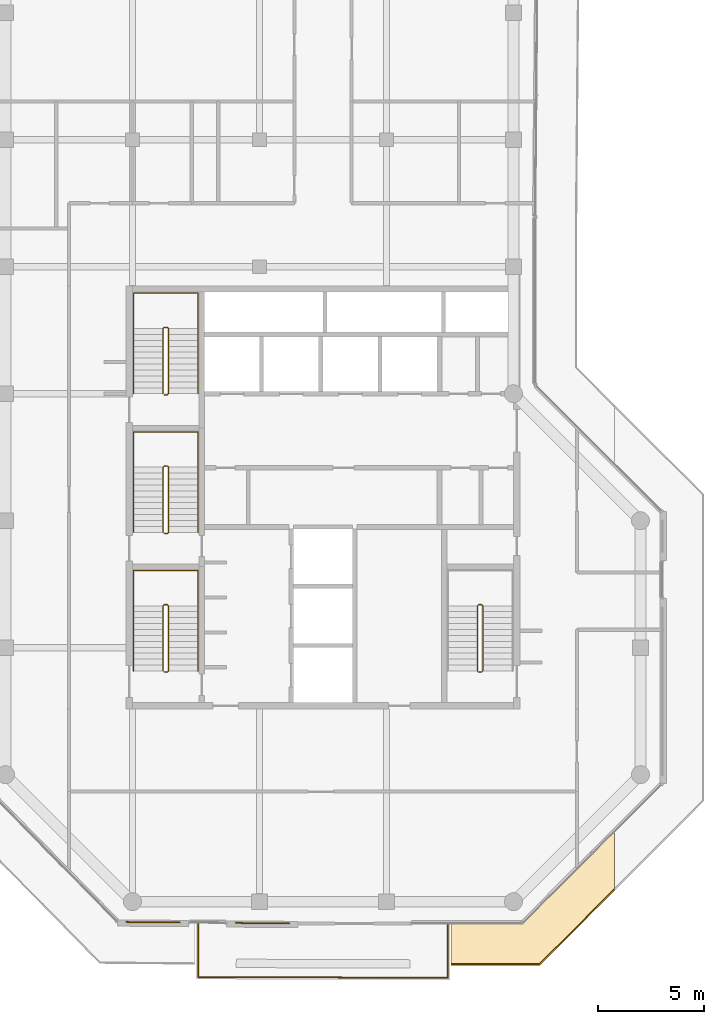
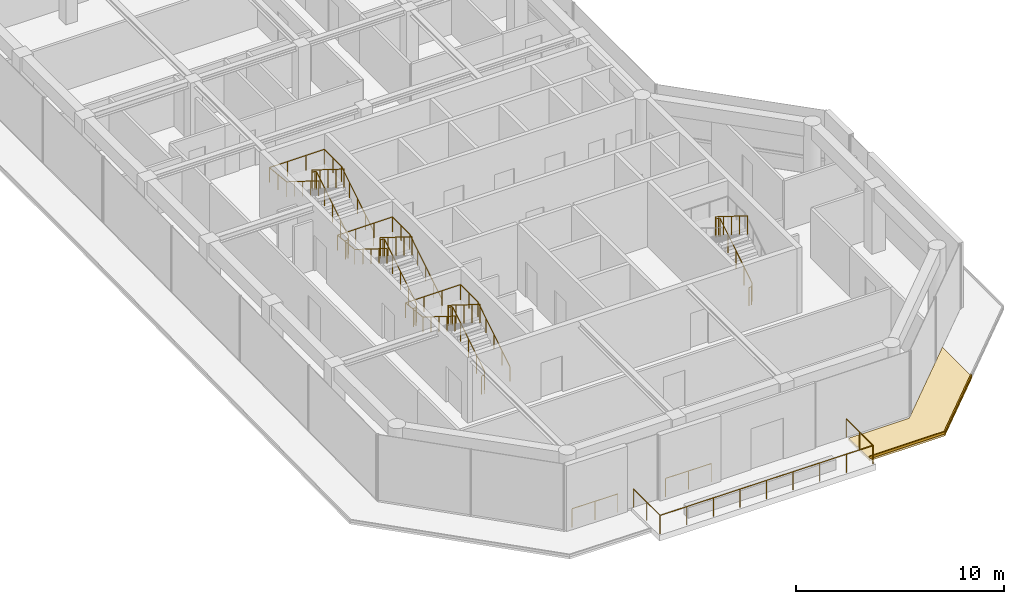
# One storey, part 17 of 18: 10 railings, 2 coverings.
"""IFC4 building model written with IfcOpenShell, lengths in metres."""

from ifc_helpers import new_model, si_unit, direction, frame, origin, origin_2d, place, context, subcontext, project, spatial, polyline, circle, outline, extrude, material, layer, layer_set, type_object, element, save


model = new_model("IFC4")

# Units and contexts
model_context = context("Model", 3, precision=1e-05, world=origin(), true_north=direction((0.0, 1.0)))
body_context = subcontext(model_context, "Body", "Model", "MODEL_VIEW")
ifc_project = project(units=[si_unit("LENGTHUNIT", "METRE"), si_unit("AREAUNIT", "SQUARE_METRE"), si_unit("VOLUMEUNIT", "CUBIC_METRE"), si_unit("PLANEANGLEUNIT", "RADIAN"), si_unit("MASSUNIT", "GRAM", prefix="KILO")], contexts=[model_context])

# Site, building, storey
site_placement = place(None, origin())
site = spatial("IfcSite", under=ifc_project, at=site_placement, CompositionType="ELEMENT")
building_placement = place(site_placement, origin())
building = spatial("IfcBuilding", under=site, at=building_placement, Name="Welwitschia Terrace Campus", CompositionType="ELEMENT")
storey_placement = place(building_placement, frame((0.0, 0.0, 285.199951171875)))
storey = spatial("IfcBuildingStorey", under=building, at=storey_placement, Name="L63", CompositionType="ELEMENT", Elevation=285.199951171875)

# Railings
ifc_material_1 = material(Name="Stainless steel grade 316", Category="steel")
railing_type_1 = type_object("IfcRailingType", Name="Guard 1100", PredefinedType="GUARDRAIL", material=ifc_material_1)
railing_1_placement = place(storey_placement, frame((20.89990234375, -5.030029296875, 0.0)))
element("IfcRailing", 1, at=railing_1_placement, inside=storey, type_object=railing_type_1, Name="Guard terrace L63:0:0.0", PredefinedType="GUARDRAIL", context=body_context, shape_type="SweptSolid", body=[
    extrude(circle(Radius=0.02392578125, at=origin_2d()), frame((0.0, 0.0, 1.076171875), z_axis=(0.0, -1.0, 0.0), x_axis=(1.0, 0.0, 0.0)), (0.0, 0.0, 1.0), 2.569580078125),
    extrude(circle(Radius=0.02392578125, at=origin_2d()), frame((0.0, -2.569580078125, 1.076171875), z_axis=(-0.999993886782, 0.003496626808, 0.0), x_axis=(-0.003496626808, -0.999993886782, 0.0)), (0.0, 0.0, 1.0), 11.7998046875),
    extrude(circle(Radius=0.02392578125, at=origin_2d()), frame((-11.7998046875, -2.5283203125, 1.076171875), z_axis=(0.000285035618, 0.999999959377, 0.0), x_axis=(-0.999999959377, 0.000285035618, 0.0)), (0.0, 0.0, 1.0), 2.569580078125),
    extrude(circle(Radius=0.02099609375, at=origin_2d()), origin(), (0.0, 0.0, 1.0), 1.052001953125),
    extrude(circle(Radius=0.02099609375, at=origin_2d()), frame((0.0, -1.28466796875, 0.0)), (0.0, 0.0, 1.0), 1.052001953125),
    extrude(circle(Radius=0.02099609375, at=origin_2d()), frame((0.0, -2.569580078125, 0.0)), (0.0, 0.0, 1.0), 1.052001953125),
    extrude(circle(Radius=0.02099609375, at=origin_2d()), frame((-1.47509765625, -2.564453125, 0.0)), (0.0, 0.0, 1.0), 1.052001953125),
    extrude(circle(Radius=0.02099609375, at=origin_2d()), frame((-2.949951171875, -2.559326171875, 0.0)), (0.0, 0.0, 1.0), 1.052001953125),
    extrude(circle(Radius=0.02099609375, at=origin_2d()), frame((-4.4248046875, -2.55419921875, 0.0)), (0.0, 0.0, 1.0), 1.052001953125),
    extrude(circle(Radius=0.02099609375, at=origin_2d()), frame((-5.89990234375, -2.548828125, 0.0)), (0.0, 0.0, 1.0), 1.052001953125),
    extrude(circle(Radius=0.02099609375, at=origin_2d()), frame((-7.375, -2.543701171875, 0.0)), (0.0, 0.0, 1.0), 1.052001953125),
    extrude(circle(Radius=0.02099609375, at=origin_2d()), frame((-8.849853515625, -2.53857421875, 0.0)), (0.0, 0.0, 1.0), 1.052001953125),
    extrude(circle(Radius=0.02099609375, at=origin_2d()), frame((-10.32470703125, -2.533447265625, 0.0)), (0.0, 0.0, 1.0), 1.052001953125),
    extrude(circle(Radius=0.02099609375, at=origin_2d()), frame((-11.7998046875, -2.5283203125, 0.0)), (0.0, 0.0, 1.0), 1.052001953125),
    extrude(circle(Radius=0.02099609375, at=origin_2d()), frame((-11.79931640625, -1.24365234375, 0.0)), (0.0, 0.0, 1.0), 1.052001953125),
    extrude(circle(Radius=0.02099609375, at=origin_2d()), frame((-11.799072265625, 0.041259765625, 0.0)), (0.0, 0.0, 1.0), 1.052001953125),
])
railing_2_placement = place(storey_placement, frame((8.23095703125, -4.981201171875, 0.0)))
element("IfcRailing", 2, at=railing_2_placement, inside=storey, type_object=railing_type_1, Name="Guard floor edge L63.1", PredefinedType="GUARDRAIL", context=body_context, shape_type="SweptSolid", body=[
    extrude(circle(Radius=0.02392578125, at=origin_2d()), frame((0.0, 0.0, 1.076171875), z_axis=(-0.9999612979, 0.008797880509, 0.0), x_axis=(-0.008797880509, -0.9999612979, 0.0)), (0.0, 0.0, 1.0), 2.525146484375),
    extrude(circle(Radius=0.02099609375, at=origin_2d()), origin(), (0.0, 0.0, 1.0), 1.052001953125),
    extrude(circle(Radius=0.02099609375, at=origin_2d()), frame((-1.2626953125, 0.01123046875, 0.0)), (0.0, 0.0, 1.0), 1.052001953125),
    extrude(circle(Radius=0.02099609375, at=origin_2d()), frame((-2.525146484375, 0.022216796875, 0.0)), (0.0, 0.0, 1.0), 1.052001953125),
])
railing_3_placement = place(storey_placement, frame((13.403564453125, -5.0263671875, 0.0)))
element("IfcRailing", 3, at=railing_3_placement, inside=storey, type_object=railing_type_1, Name="Guard floor edge L63.3", PredefinedType="GUARDRAIL", context=body_context, shape_type="SweptSolid", body=[
    extrude(circle(Radius=0.02392578125, at=origin_2d()), frame((0.0, 0.0, 1.076171875), z_axis=(-0.999962143774, 0.008701207864, 0.0), x_axis=(-0.008701207864, -0.999962143774, 0.0)), (0.0, 0.0, 1.0), 2.525146484375),
    extrude(circle(Radius=0.02099609375, at=origin_2d()), origin(), (0.0, 0.0, 1.0), 1.052001953125),
    extrude(circle(Radius=0.02099609375, at=origin_2d()), frame((-1.2626953125, 0.010986328125, 0.0)), (0.0, 0.0, 1.0), 1.052001953125),
    extrude(circle(Radius=0.02099609375, at=origin_2d()), frame((-2.525146484375, 0.02197265625, 0.0)), (0.0, 0.0, 1.0), 1.052001953125),
])
ifc_material_2 = material(Name="Steel S355", Category="steel")
railing_type_2 = type_object("IfcRailingType", Name="Stair guard 1100", PredefinedType="GUARDRAIL", material=ifc_material_2)
railing_4_placement = place(storey_placement, frame((7.5, 6.85009765625, 0.0)))
element("IfcRailing", 4, at=railing_4_placement, inside=storey, type_object=railing_type_2, Name="L63 S1 stair guard", PredefinedType="GUARDRAIL", context=body_context, shape_type="SweptSolid", body=[
    extrude(circle(Radius=0.02392578125, at=origin_2d()), frame((0.0, 0.0, 1.076171875), z_axis=(1.0, 0.0, 0.0), x_axis=(0.0, 1.0, 0.0)), (0.0, 0.0, 1.0), 0.14990234375),
    extrude(circle(Radius=0.02392578125, at=origin_2d()), frame((0.14990234375, 0.0, 1.076171875), z_axis=(0.265155923931, 0.263862480399, 0.927399011991), x_axis=(-0.705375805398, 0.708833529934, 0.0)), (0.0, 0.0, 1.0), 0.188720703125),
    extrude(circle(Radius=0.02392578125, at=origin_2d()), frame((0.199951171875, 0.0498046875, 1.2509765625), z_axis=(0.0, 0.847998304005, 0.529998940003), x_axis=(-1.0, 0.0, 0.0)), (0.0, 0.0, 1.0), 3.632080078125),
    extrude(circle(Radius=0.02392578125, at=origin_2d()), frame((0.199951171875, 3.1298828125, 3.17626953125), z_axis=(-0.707106781187, 0.707106781187, 0.0), x_axis=(-0.707106781187, -0.707106781187, 0.0)), (0.0, 0.0, 1.0), 0.07080078125),
    extrude(circle(Radius=0.02392578125, at=origin_2d()), frame((0.14990234375, 3.179931640625, 3.17626953125), z_axis=(-1.0, 0.0, 0.0), x_axis=(0.0, -1.0, 0.0)), (0.0, 0.0, 1.0), 0.14990234375),
    extrude(circle(Radius=0.02392578125, at=origin_2d()), frame((0.0, 3.179931640625, 3.17626953125), z_axis=(-0.265065253269, -0.265065253269, 0.927081885822), x_axis=(0.707106781187, -0.707106781187, 0.0)), (0.0, 0.0, 1.0), 0.188720703125),
    extrude(circle(Radius=0.02392578125, at=origin_2d()), frame((-0.050048828125, 3.1298828125, 3.35107421875), z_axis=(0.0, -0.848028513186, 0.529950602248), x_axis=(1.0, 0.0, 0.0)), (0.0, 0.0, 1.0), 3.632080078125),
    extrude(circle(Radius=0.02099609375, at=origin_2d()), origin(), (0.0, 0.0, 1.0), 1.052001953125),
    extrude(circle(Radius=0.02099609375, at=origin_2d()), frame((0.14990234375, 0.0, 0.0)), (0.0, 0.0, 1.0), 1.052001953125),
    extrude(circle(Radius=0.02099609375, at=origin_2d()), frame((0.199951171875, 0.0498046875, 0.175048828125)), (0.0, 0.0, 1.0), 1.052001953125),
    extrude(circle(Radius=0.02099609375, at=origin_2d()), frame((0.199951171875, 0.81982421875, 0.65625)), (0.0, 0.0, 1.0), 1.052001953125),
    extrude(circle(Radius=0.02099609375, at=origin_2d()), frame((0.199951171875, 1.58984375, 1.1376953125)), (0.0, 0.0, 1.0), 1.052001953125),
    extrude(circle(Radius=0.02099609375, at=origin_2d()), frame((0.199951171875, 2.35986328125, 1.618896484375)), (0.0, 0.0, 1.0), 1.052001953125),
    extrude(circle(Radius=0.02099609375, at=origin_2d()), frame((0.199951171875, 3.1298828125, 2.10009765625)), (0.0, 0.0, 1.0), 1.052001953125),
    extrude(circle(Radius=0.02099609375, at=origin_2d()), frame((0.14990234375, 3.179931640625, 2.10009765625)), (0.0, 0.0, 1.0), 1.052001953125),
    extrude(circle(Radius=0.02099609375, at=origin_2d()), frame((0.0, 3.179931640625, 2.10009765625)), (0.0, 0.0, 1.0), 1.052001953125),
    extrude(circle(Radius=0.02099609375, at=origin_2d()), frame((-0.050048828125, 3.1298828125, 2.275146484375)), (0.0, 0.0, 1.0), 1.052001953125),
    extrude(circle(Radius=0.02099609375, at=origin_2d()), frame((-0.050048828125, 2.35986328125, 2.75634765625)), (0.0, 0.0, 1.0), 1.052001953125),
    extrude(circle(Radius=0.02099609375, at=origin_2d()), frame((-0.050048828125, 1.58984375, 3.237548828125)), (0.0, 0.0, 1.0), 1.052001953125),
    extrude(circle(Radius=0.02099609375, at=origin_2d()), frame((-0.050048828125, 0.81982421875, 3.71875)), (0.0, 0.0, 1.0), 1.052001953125),
    extrude(circle(Radius=0.02099609375, at=origin_2d()), frame((-0.050048828125, 0.0498046875, 4.199951171875)), (0.0, 0.0, 1.0), 1.052001953125),
])
railing_5_placement = place(storey_placement, frame((7.5, 13.39990234375, 0.0)))
element("IfcRailing", 5, at=railing_5_placement, inside=storey, type_object=railing_type_2, Name="L63 S3 stair guard", PredefinedType="GUARDRAIL", context=body_context, shape_type="SweptSolid", body=[
    extrude(circle(Radius=0.02392578125, at=origin_2d()), frame((0.0, 0.0, 1.076171875), z_axis=(1.0, 0.0, 0.0), x_axis=(0.0, 1.0, 0.0)), (0.0, 0.0, 1.0), 0.14990234375),
    extrude(circle(Radius=0.02392578125, at=origin_2d()), frame((0.14990234375, 0.0, 1.076171875), z_axis=(0.265065253269, 0.265065253269, 0.927081885822), x_axis=(-0.707106781187, 0.707106781187, 0.0)), (0.0, 0.0, 1.0), 0.188720703125),
    extrude(circle(Radius=0.02392578125, at=origin_2d()), frame((0.199951171875, 0.050048828125, 1.2509765625), z_axis=(0.0, 0.847998304005, 0.529998940003), x_axis=(-1.0, 0.0, 0.0)), (0.0, 0.0, 1.0), 3.632080078125),
    extrude(circle(Radius=0.02392578125, at=origin_2d()), frame((0.199951171875, 3.130126953125, 3.17626953125), z_axis=(-0.707106781187, 0.707106781187, 0.0), x_axis=(-0.707106781187, -0.707106781187, 0.0)), (0.0, 0.0, 1.0), 0.07080078125),
    extrude(circle(Radius=0.02392578125, at=origin_2d()), frame((0.14990234375, 3.18017578125, 3.17626953125), z_axis=(-1.0, 0.0, 0.0), x_axis=(0.0, -1.0, 0.0)), (0.0, 0.0, 1.0), 0.14990234375),
    extrude(circle(Radius=0.02392578125, at=origin_2d()), frame((0.0, 3.18017578125, 3.17626953125), z_axis=(-0.265065253269, -0.265065253269, 0.927081885822), x_axis=(0.707106781187, -0.707106781187, 0.0)), (0.0, 0.0, 1.0), 0.188720703125),
    extrude(circle(Radius=0.02392578125, at=origin_2d()), frame((-0.050048828125, 3.130126953125, 3.35107421875), z_axis=(0.0, -0.848028513186, 0.529950602248), x_axis=(1.0, 0.0, 0.0)), (0.0, 0.0, 1.0), 3.632080078125),
    extrude(circle(Radius=0.02099609375, at=origin_2d()), origin(), (0.0, 0.0, 1.0), 1.052001953125),
    extrude(circle(Radius=0.02099609375, at=origin_2d()), frame((0.14990234375, 0.0, 0.0)), (0.0, 0.0, 1.0), 1.052001953125),
    extrude(circle(Radius=0.02099609375, at=origin_2d()), frame((0.199951171875, 0.050048828125, 0.175048828125)), (0.0, 0.0, 1.0), 1.052001953125),
    extrude(circle(Radius=0.02099609375, at=origin_2d()), frame((0.199951171875, 0.820068359375, 0.65625)), (0.0, 0.0, 1.0), 1.052001953125),
    extrude(circle(Radius=0.02099609375, at=origin_2d()), frame((0.199951171875, 1.590087890625, 1.1376953125)), (0.0, 0.0, 1.0), 1.052001953125),
    extrude(circle(Radius=0.02099609375, at=origin_2d()), frame((0.199951171875, 2.360107421875, 1.618896484375)), (0.0, 0.0, 1.0), 1.052001953125),
    extrude(circle(Radius=0.02099609375, at=origin_2d()), frame((0.199951171875, 3.130126953125, 2.10009765625)), (0.0, 0.0, 1.0), 1.052001953125),
    extrude(circle(Radius=0.02099609375, at=origin_2d()), frame((0.14990234375, 3.18017578125, 2.10009765625)), (0.0, 0.0, 1.0), 1.052001953125),
    extrude(circle(Radius=0.02099609375, at=origin_2d()), frame((0.0, 3.18017578125, 2.10009765625)), (0.0, 0.0, 1.0), 1.052001953125),
    extrude(circle(Radius=0.02099609375, at=origin_2d()), frame((-0.050048828125, 3.130126953125, 2.275146484375)), (0.0, 0.0, 1.0), 1.052001953125),
    extrude(circle(Radius=0.02099609375, at=origin_2d()), frame((-0.050048828125, 2.360107421875, 2.75634765625)), (0.0, 0.0, 1.0), 1.052001953125),
    extrude(circle(Radius=0.02099609375, at=origin_2d()), frame((-0.050048828125, 1.590087890625, 3.237548828125)), (0.0, 0.0, 1.0), 1.052001953125),
    extrude(circle(Radius=0.02099609375, at=origin_2d()), frame((-0.050048828125, 0.820068359375, 3.71875)), (0.0, 0.0, 1.0), 1.052001953125),
    extrude(circle(Radius=0.02099609375, at=origin_2d()), frame((-0.050048828125, 0.050048828125, 4.199951171875)), (0.0, 0.0, 1.0), 1.052001953125),
])
railing_6_placement = place(storey_placement, frame((7.5, 19.949951171875, 0.0)))
element("IfcRailing", 6, at=railing_6_placement, inside=storey, type_object=railing_type_2, Name="L63 S4 stair guard", PredefinedType="GUARDRAIL", context=body_context, shape_type="SweptSolid", body=[
    extrude(circle(Radius=0.02392578125, at=origin_2d()), frame((0.0, 0.0, 1.076171875), z_axis=(1.0, 0.0, 0.0), x_axis=(0.0, 1.0, 0.0)), (0.0, 0.0, 1.0), 0.14990234375),
    extrude(circle(Radius=0.02392578125, at=origin_2d()), frame((0.14990234375, 0.0, 1.076171875), z_axis=(0.265065253269, 0.265065253269, 0.927081885822), x_axis=(-0.707106781187, 0.707106781187, 0.0)), (0.0, 0.0, 1.0), 0.188720703125),
    extrude(circle(Radius=0.02392578125, at=origin_2d()), frame((0.199951171875, 0.050048828125, 1.2509765625), z_axis=(0.0, 0.847998304005, 0.529998940003), x_axis=(-1.0, 0.0, 0.0)), (0.0, 0.0, 1.0), 3.632080078125),
    extrude(circle(Radius=0.02392578125, at=origin_2d()), frame((0.199951171875, 3.130126953125, 3.17626953125), z_axis=(-0.708833529934, 0.705375805398, 0.0), x_axis=(-0.705375805398, -0.708833529934, 0.0)), (0.0, 0.0, 1.0), 0.070556640625),
    extrude(circle(Radius=0.02392578125, at=origin_2d()), frame((0.14990234375, 3.179931640625, 3.17626953125), z_axis=(-1.0, 0.0, 0.0), x_axis=(0.0, -1.0, 0.0)), (0.0, 0.0, 1.0), 0.14990234375),
    extrude(circle(Radius=0.02392578125, at=origin_2d()), frame((0.0, 3.179931640625, 3.17626953125), z_axis=(-0.265155923931, -0.263862480399, 0.927399011991), x_axis=(0.705375805398, -0.708833529934, 0.0)), (0.0, 0.0, 1.0), 0.188720703125),
    extrude(circle(Radius=0.02392578125, at=origin_2d()), frame((-0.050048828125, 3.130126953125, 3.35107421875), z_axis=(0.0, -0.848028513186, 0.529950602248), x_axis=(1.0, 0.0, 0.0)), (0.0, 0.0, 1.0), 3.632080078125),
    extrude(circle(Radius=0.02099609375, at=origin_2d()), origin(), (0.0, 0.0, 1.0), 1.052001953125),
    extrude(circle(Radius=0.02099609375, at=origin_2d()), frame((0.14990234375, 0.0, 0.0)), (0.0, 0.0, 1.0), 1.052001953125),
    extrude(circle(Radius=0.02099609375, at=origin_2d()), frame((0.199951171875, 0.050048828125, 0.175048828125)), (0.0, 0.0, 1.0), 1.052001953125),
    extrude(circle(Radius=0.02099609375, at=origin_2d()), frame((0.199951171875, 0.820068359375, 0.65625)), (0.0, 0.0, 1.0), 1.052001953125),
    extrude(circle(Radius=0.02099609375, at=origin_2d()), frame((0.199951171875, 1.590087890625, 1.1376953125)), (0.0, 0.0, 1.0), 1.052001953125),
    extrude(circle(Radius=0.02099609375, at=origin_2d()), frame((0.199951171875, 2.360107421875, 1.618896484375)), (0.0, 0.0, 1.0), 1.052001953125),
    extrude(circle(Radius=0.02099609375, at=origin_2d()), frame((0.199951171875, 3.130126953125, 2.10009765625)), (0.0, 0.0, 1.0), 1.052001953125),
    extrude(circle(Radius=0.02099609375, at=origin_2d()), frame((0.14990234375, 3.179931640625, 2.10009765625)), (0.0, 0.0, 1.0), 1.052001953125),
    extrude(circle(Radius=0.02099609375, at=origin_2d()), frame((0.0, 3.179931640625, 2.10009765625)), (0.0, 0.0, 1.0), 1.052001953125),
    extrude(circle(Radius=0.02099609375, at=origin_2d()), frame((-0.050048828125, 3.130126953125, 2.275146484375)), (0.0, 0.0, 1.0), 1.052001953125),
    extrude(circle(Radius=0.02099609375, at=origin_2d()), frame((-0.050048828125, 2.360107421875, 2.75634765625)), (0.0, 0.0, 1.0), 1.052001953125),
    extrude(circle(Radius=0.02099609375, at=origin_2d()), frame((-0.050048828125, 1.590087890625, 3.237548828125)), (0.0, 0.0, 1.0), 1.052001953125),
    extrude(circle(Radius=0.02099609375, at=origin_2d()), frame((-0.050048828125, 0.820068359375, 3.71875)), (0.0, 0.0, 1.0), 1.052001953125),
    extrude(circle(Radius=0.02099609375, at=origin_2d()), frame((-0.050048828125, 0.050048828125, 4.199951171875)), (0.0, 0.0, 1.0), 1.052001953125),
])
railing_7_placement = place(storey_placement, frame((22.35009765625, 6.85009765625, 0.0)))
element("IfcRailing", 7, at=railing_7_placement, inside=storey, type_object=railing_type_2, Name="L63 S2 stair guard", PredefinedType="GUARDRAIL", context=body_context, shape_type="SweptSolid", body=[
    extrude(circle(Radius=0.02392578125, at=origin_2d()), frame((0.0, 0.0, 1.076171875), z_axis=(1.0, 0.0, 0.0), x_axis=(0.0, 1.0, 0.0)), (0.0, 0.0, 1.0), 0.14990234375),
    extrude(circle(Radius=0.02392578125, at=origin_2d()), frame((0.14990234375, 0.0, 1.076171875), z_axis=(0.265155923931, 0.263862480399, 0.927399011991), x_axis=(-0.705375805398, 0.708833529934, 0.0)), (0.0, 0.0, 1.0), 0.188720703125),
    extrude(circle(Radius=0.02392578125, at=origin_2d()), frame((0.199951171875, 0.0498046875, 1.2509765625), z_axis=(0.0, 0.847998304005, 0.529998940003), x_axis=(-1.0, 0.0, 0.0)), (0.0, 0.0, 1.0), 3.632080078125),
    extrude(circle(Radius=0.02392578125, at=origin_2d()), frame((0.199951171875, 3.1298828125, 3.17626953125), z_axis=(-0.707106781187, 0.707106781187, 0.0), x_axis=(-0.707106781187, -0.707106781187, 0.0)), (0.0, 0.0, 1.0), 0.07080078125),
    extrude(circle(Radius=0.02392578125, at=origin_2d()), frame((0.14990234375, 3.179931640625, 3.17626953125), z_axis=(-1.0, 0.0, 0.0), x_axis=(0.0, -1.0, 0.0)), (0.0, 0.0, 1.0), 0.14990234375),
    extrude(circle(Radius=0.02392578125, at=origin_2d()), frame((0.0, 3.179931640625, 3.17626953125), z_axis=(-0.265065253269, -0.265065253269, 0.927081885822), x_axis=(0.707106781187, -0.707106781187, 0.0)), (0.0, 0.0, 1.0), 0.188720703125),
    extrude(circle(Radius=0.02392578125, at=origin_2d()), frame((-0.050048828125, 3.1298828125, 3.35107421875), z_axis=(0.0, -0.848028513186, 0.529950602248), x_axis=(1.0, 0.0, 0.0)), (0.0, 0.0, 1.0), 3.632080078125),
    extrude(circle(Radius=0.02099609375, at=origin_2d()), origin(), (0.0, 0.0, 1.0), 1.052001953125),
    extrude(circle(Radius=0.02099609375, at=origin_2d()), frame((0.14990234375, 0.0, 0.0)), (0.0, 0.0, 1.0), 1.052001953125),
    extrude(circle(Radius=0.02099609375, at=origin_2d()), frame((0.199951171875, 0.0498046875, 0.175048828125)), (0.0, 0.0, 1.0), 1.052001953125),
    extrude(circle(Radius=0.02099609375, at=origin_2d()), frame((0.199951171875, 0.81982421875, 0.65625)), (0.0, 0.0, 1.0), 1.052001953125),
    extrude(circle(Radius=0.02099609375, at=origin_2d()), frame((0.199951171875, 1.58984375, 1.1376953125)), (0.0, 0.0, 1.0), 1.052001953125),
    extrude(circle(Radius=0.02099609375, at=origin_2d()), frame((0.199951171875, 2.35986328125, 1.618896484375)), (0.0, 0.0, 1.0), 1.052001953125),
    extrude(circle(Radius=0.02099609375, at=origin_2d()), frame((0.199951171875, 3.1298828125, 2.10009765625)), (0.0, 0.0, 1.0), 1.052001953125),
    extrude(circle(Radius=0.02099609375, at=origin_2d()), frame((0.14990234375, 3.179931640625, 2.10009765625)), (0.0, 0.0, 1.0), 1.052001953125),
    extrude(circle(Radius=0.02099609375, at=origin_2d()), frame((0.0, 3.179931640625, 2.10009765625)), (0.0, 0.0, 1.0), 1.052001953125),
    extrude(circle(Radius=0.02099609375, at=origin_2d()), frame((-0.050048828125, 3.1298828125, 2.275146484375)), (0.0, 0.0, 1.0), 1.052001953125),
    extrude(circle(Radius=0.02099609375, at=origin_2d()), frame((-0.050048828125, 2.35986328125, 2.75634765625)), (0.0, 0.0, 1.0), 1.052001953125),
    extrude(circle(Radius=0.02099609375, at=origin_2d()), frame((-0.050048828125, 1.58984375, 3.237548828125)), (0.0, 0.0, 1.0), 1.052001953125),
    extrude(circle(Radius=0.02099609375, at=origin_2d()), frame((-0.050048828125, 0.81982421875, 3.71875)), (0.0, 0.0, 1.0), 1.052001953125),
    extrude(circle(Radius=0.02099609375, at=origin_2d()), frame((-0.050048828125, 0.0498046875, 4.199951171875)), (0.0, 0.0, 1.0), 1.052001953125),
])
ifc_material_3 = material(Name="Steel S355", Category="steel")
railing_type_3 = type_object("IfcRailingType", Name="Stair handrail 900", PredefinedType="HANDRAIL", material=ifc_material_3)
railing_8_placement = place(storey_placement, frame((9.10009765625, 6.89990234375, 0.175048828125)))
element("IfcRailing", 8, at=railing_8_placement, inside=storey, type_object=railing_type_3, Name="L63 S1 stair handrail", PredefinedType="HANDRAIL", context=body_context, shape_type="SweptSolid", body=[
    extrude(circle(Radius=0.02392578125, at=origin_2d()), frame((0.0, 0.0, 0.8759765625), z_axis=(0.0, 0.847998304005, 0.529998940003), x_axis=(-1.0, 0.0, 0.0)), (0.0, 0.0, 1.0), 3.632080078125),
    extrude(circle(Radius=0.02392578125, at=origin_2d()), frame((0.0, 3.080078125, 2.80078125), z_axis=(0.0, 1.0, 0.0), x_axis=(-1.0, 0.0, 0.0)), (0.0, 0.0, 1.0), 1.669921875),
    extrude(circle(Radius=0.02392578125, at=origin_2d()), frame((0.0, 4.75, 2.80078125), z_axis=(-1.0, 0.0, 0.0), x_axis=(0.0, -1.0, 0.0)), (0.0, 0.0, 1.0), 3.050048828125),
    extrude(circle(Radius=0.02392578125, at=origin_2d()), frame((-3.050048828125, 4.75, 2.80078125), z_axis=(0.0, -0.99455077262, 0.104253348533), x_axis=(1.0, 0.0, 0.0)), (0.0, 0.0, 1.0), 1.678955078125),
    extrude(circle(Radius=0.02392578125, at=origin_2d()), frame((-3.050048828125, 3.080078125, 2.97607421875), z_axis=(0.0, -0.848028513186, 0.529950602248), x_axis=(1.0, 0.0, 0.0)), (0.0, 0.0, 1.0), 3.632080078125),
    extrude(circle(Radius=0.02099609375, at=origin_2d()), origin(), (0.0, 0.0, 1.0), 0.851806640625),
    extrude(circle(Radius=0.02099609375, at=origin_2d()), frame((0.0, 0.77001953125, 0.481201171875)), (0.0, 0.0, 1.0), 0.851806640625),
    extrude(circle(Radius=0.02099609375, at=origin_2d()), frame((0.0, 1.5400390625, 0.96240234375)), (0.0, 0.0, 1.0), 0.851806640625),
    extrude(circle(Radius=0.02099609375, at=origin_2d()), frame((0.0, 2.31005859375, 1.44384765625)), (0.0, 0.0, 1.0), 0.851806640625),
    extrude(circle(Radius=0.02099609375, at=origin_2d()), frame((0.0, 3.080078125, 1.925048828125)), (0.0, 0.0, 1.0), 0.851806640625),
    extrude(circle(Radius=0.02099609375, at=origin_2d()), frame((0.0, 3.9150390625, 1.925048828125)), (0.0, 0.0, 1.0), 0.851806640625),
    extrude(circle(Radius=0.02099609375, at=origin_2d()), frame((0.0, 4.75, 1.925048828125)), (0.0, 0.0, 1.0), 0.851806640625),
    extrude(circle(Radius=0.02099609375, at=origin_2d()), frame((-1.0166015625, 4.75, 1.925048828125)), (0.0, 0.0, 1.0), 0.851806640625),
    extrude(circle(Radius=0.02099609375, at=origin_2d()), frame((-2.033447265625, 4.75, 1.925048828125)), (0.0, 0.0, 1.0), 0.851806640625),
    extrude(circle(Radius=0.02099609375, at=origin_2d()), frame((-3.050048828125, 4.75, 1.925048828125)), (0.0, 0.0, 1.0), 0.851806640625),
    extrude(circle(Radius=0.02099609375, at=origin_2d()), frame((-3.050048828125, 3.9150390625, 2.0126953125)), (0.0, 0.0, 1.0), 0.851806640625),
    extrude(circle(Radius=0.02099609375, at=origin_2d()), frame((-3.050048828125, 3.080078125, 2.10009765625)), (0.0, 0.0, 1.0), 0.851806640625),
    extrude(circle(Radius=0.02099609375, at=origin_2d()), frame((-3.050048828125, 2.31005859375, 2.581298828125)), (0.0, 0.0, 1.0), 0.851806640625),
    extrude(circle(Radius=0.02099609375, at=origin_2d()), frame((-3.050048828125, 1.5400390625, 3.0625)), (0.0, 0.0, 1.0), 0.851806640625),
    extrude(circle(Radius=0.02099609375, at=origin_2d()), frame((-3.050048828125, 0.77001953125, 3.543701171875)), (0.0, 0.0, 1.0), 0.851806640625),
    extrude(circle(Radius=0.02099609375, at=origin_2d()), frame((-3.050048828125, 0.0, 4.02490234375)), (0.0, 0.0, 1.0), 0.851806640625),
])
railing_9_placement = place(storey_placement, frame((9.10009765625, 13.449951171875, 0.175048828125)))
element("IfcRailing", 9, at=railing_9_placement, inside=storey, type_object=railing_type_3, Name="L63 S3 stair handrail", PredefinedType="HANDRAIL", context=body_context, shape_type="SweptSolid", body=[
    extrude(circle(Radius=0.02392578125, at=origin_2d()), frame((0.0, 0.0, 0.8759765625), z_axis=(0.0, 0.847998304005, 0.529998940003), x_axis=(-1.0, 0.0, 0.0)), (0.0, 0.0, 1.0), 3.632080078125),
    extrude(circle(Radius=0.02392578125, at=origin_2d()), frame((0.0, 3.080078125, 2.80078125), z_axis=(0.0, 1.0, 0.0), x_axis=(-1.0, 0.0, 0.0)), (0.0, 0.0, 1.0), 1.669921875),
    extrude(circle(Radius=0.02392578125, at=origin_2d()), frame((0.0, 4.75, 2.80078125), z_axis=(-1.0, 0.0, 0.0), x_axis=(0.0, -1.0, 0.0)), (0.0, 0.0, 1.0), 3.050048828125),
    extrude(circle(Radius=0.02392578125, at=origin_2d()), frame((-3.050048828125, 4.75, 2.80078125), z_axis=(0.0, -0.99455077262, 0.104253348533), x_axis=(1.0, 0.0, 0.0)), (0.0, 0.0, 1.0), 1.678955078125),
    extrude(circle(Radius=0.02392578125, at=origin_2d()), frame((-3.050048828125, 3.080078125, 2.97607421875), z_axis=(0.0, -0.848028513186, 0.529950602248), x_axis=(1.0, 0.0, 0.0)), (0.0, 0.0, 1.0), 3.632080078125),
    extrude(circle(Radius=0.02099609375, at=origin_2d()), origin(), (0.0, 0.0, 1.0), 0.851806640625),
    extrude(circle(Radius=0.02099609375, at=origin_2d()), frame((0.0, 0.77001953125, 0.481201171875)), (0.0, 0.0, 1.0), 0.851806640625),
    extrude(circle(Radius=0.02099609375, at=origin_2d()), frame((0.0, 1.5400390625, 0.96240234375)), (0.0, 0.0, 1.0), 0.851806640625),
    extrude(circle(Radius=0.02099609375, at=origin_2d()), frame((0.0, 2.31005859375, 1.44384765625)), (0.0, 0.0, 1.0), 0.851806640625),
    extrude(circle(Radius=0.02099609375, at=origin_2d()), frame((0.0, 3.080078125, 1.925048828125)), (0.0, 0.0, 1.0), 0.851806640625),
    extrude(circle(Radius=0.02099609375, at=origin_2d()), frame((0.0, 3.9150390625, 1.925048828125)), (0.0, 0.0, 1.0), 0.851806640625),
    extrude(circle(Radius=0.02099609375, at=origin_2d()), frame((0.0, 4.75, 1.925048828125)), (0.0, 0.0, 1.0), 0.851806640625),
    extrude(circle(Radius=0.02099609375, at=origin_2d()), frame((-1.0166015625, 4.75, 1.925048828125)), (0.0, 0.0, 1.0), 0.851806640625),
    extrude(circle(Radius=0.02099609375, at=origin_2d()), frame((-2.033447265625, 4.75, 1.925048828125)), (0.0, 0.0, 1.0), 0.851806640625),
    extrude(circle(Radius=0.02099609375, at=origin_2d()), frame((-3.050048828125, 4.75, 1.925048828125)), (0.0, 0.0, 1.0), 0.851806640625),
    extrude(circle(Radius=0.02099609375, at=origin_2d()), frame((-3.050048828125, 3.9150390625, 2.0126953125)), (0.0, 0.0, 1.0), 0.851806640625),
    extrude(circle(Radius=0.02099609375, at=origin_2d()), frame((-3.050048828125, 3.080078125, 2.10009765625)), (0.0, 0.0, 1.0), 0.851806640625),
    extrude(circle(Radius=0.02099609375, at=origin_2d()), frame((-3.050048828125, 2.31005859375, 2.581298828125)), (0.0, 0.0, 1.0), 0.851806640625),
    extrude(circle(Radius=0.02099609375, at=origin_2d()), frame((-3.050048828125, 1.5400390625, 3.0625)), (0.0, 0.0, 1.0), 0.851806640625),
    extrude(circle(Radius=0.02099609375, at=origin_2d()), frame((-3.050048828125, 0.77001953125, 3.543701171875)), (0.0, 0.0, 1.0), 0.851806640625),
    extrude(circle(Radius=0.02099609375, at=origin_2d()), frame((-3.050048828125, 0.0, 4.02490234375)), (0.0, 0.0, 1.0), 0.851806640625),
])
railing_10_placement = place(storey_placement, frame((9.10009765625, 20.0, 0.175048828125)))
element("IfcRailing", 10, at=railing_10_placement, inside=storey, type_object=railing_type_3, Name="L63 S4 stair handrail", PredefinedType="HANDRAIL", context=body_context, shape_type="SweptSolid", body=[
    extrude(circle(Radius=0.02392578125, at=origin_2d()), frame((0.0, 0.0, 0.8759765625), z_axis=(0.0, 0.847998304005, 0.529998940003), x_axis=(-1.0, 0.0, 0.0)), (0.0, 0.0, 1.0), 3.632080078125),
    extrude(circle(Radius=0.02392578125, at=origin_2d()), frame((0.0, 3.080078125, 2.80078125), z_axis=(0.0, 1.0, 0.0), x_axis=(-1.0, 0.0, 0.0)), (0.0, 0.0, 1.0), 1.669921875),
    extrude(circle(Radius=0.02392578125, at=origin_2d()), frame((0.0, 4.75, 2.80078125), z_axis=(-1.0, 0.0, 0.0), x_axis=(0.0, -1.0, 0.0)), (0.0, 0.0, 1.0), 3.050048828125),
    extrude(circle(Radius=0.02392578125, at=origin_2d()), frame((-3.050048828125, 4.75, 2.80078125), z_axis=(0.0, -0.99455077262, 0.104253348533), x_axis=(1.0, 0.0, 0.0)), (0.0, 0.0, 1.0), 1.678955078125),
    extrude(circle(Radius=0.02392578125, at=origin_2d()), frame((-3.050048828125, 3.080078125, 2.97607421875), z_axis=(0.0, -0.848028513186, 0.529950602248), x_axis=(1.0, 0.0, 0.0)), (0.0, 0.0, 1.0), 3.632080078125),
    extrude(circle(Radius=0.02099609375, at=origin_2d()), origin(), (0.0, 0.0, 1.0), 0.851806640625),
    extrude(circle(Radius=0.02099609375, at=origin_2d()), frame((0.0, 0.77001953125, 0.481201171875)), (0.0, 0.0, 1.0), 0.851806640625),
    extrude(circle(Radius=0.02099609375, at=origin_2d()), frame((0.0, 1.5400390625, 0.96240234375)), (0.0, 0.0, 1.0), 0.851806640625),
    extrude(circle(Radius=0.02099609375, at=origin_2d()), frame((0.0, 2.31005859375, 1.44384765625)), (0.0, 0.0, 1.0), 0.851806640625),
    extrude(circle(Radius=0.02099609375, at=origin_2d()), frame((0.0, 3.080078125, 1.925048828125)), (0.0, 0.0, 1.0), 0.851806640625),
    extrude(circle(Radius=0.02099609375, at=origin_2d()), frame((0.0, 3.9150390625, 1.925048828125)), (0.0, 0.0, 1.0), 0.851806640625),
    extrude(circle(Radius=0.02099609375, at=origin_2d()), frame((0.0, 4.75, 1.925048828125)), (0.0, 0.0, 1.0), 0.851806640625),
    extrude(circle(Radius=0.02099609375, at=origin_2d()), frame((-1.0166015625, 4.75, 1.925048828125)), (0.0, 0.0, 1.0), 0.851806640625),
    extrude(circle(Radius=0.02099609375, at=origin_2d()), frame((-2.033447265625, 4.75, 1.925048828125)), (0.0, 0.0, 1.0), 0.851806640625),
    extrude(circle(Radius=0.02099609375, at=origin_2d()), frame((-3.050048828125, 4.75, 1.925048828125)), (0.0, 0.0, 1.0), 0.851806640625),
    extrude(circle(Radius=0.02099609375, at=origin_2d()), frame((-3.050048828125, 3.9150390625, 2.0126953125)), (0.0, 0.0, 1.0), 0.851806640625),
    extrude(circle(Radius=0.02099609375, at=origin_2d()), frame((-3.050048828125, 3.080078125, 2.10009765625)), (0.0, 0.0, 1.0), 0.851806640625),
    extrude(circle(Radius=0.02099609375, at=origin_2d()), frame((-3.050048828125, 2.31005859375, 2.581298828125)), (0.0, 0.0, 1.0), 0.851806640625),
    extrude(circle(Radius=0.02099609375, at=origin_2d()), frame((-3.050048828125, 1.5400390625, 3.0625)), (0.0, 0.0, 1.0), 0.851806640625),
    extrude(circle(Radius=0.02099609375, at=origin_2d()), frame((-3.050048828125, 0.77001953125, 3.543701171875)), (0.0, 0.0, 1.0), 0.851806640625),
    extrude(circle(Radius=0.02099609375, at=origin_2d()), frame((-3.050048828125, 0.0, 4.02490234375)), (0.0, 0.0, 1.0), 0.851806640625),
])

# Coverings
ifc_material_4 = material(Name="Bronze anodised aluminium", Category="aluminium")
ifc_layer_1 = layer(ifc_material_4, 0.1201171875)
ifc_layer_set_1 = layer_set([ifc_layer_1], Name="Bronze anodised aluminium")
covering_type_1 = type_object("IfcCoveringType", Name="Sunshade band 2000", PredefinedType="USERDEFINED", material=ifc_layer_set_1)
covering_1_placement = place(storey_placement, frame((0.0, 0.0, -0.25)))
element("IfcCovering", 11, at=covering_1_placement, inside=storey, type_object=covering_type_1, Name="SUNSHADE L63.SW1", ObjectType="SUNSHADE", PredefinedType="USERDEFINED", context=body_context, shape_type="SweptSolid", body=[
    extrude(outline(polyline([(25.24267578125, -7.0), (21.050048828125, -7.0), (21.050048828125, -5.0), (24.414306640625, -5.0), (28.7666015625, -0.6474609375), (28.7666015625, -3.47607421875), (25.24267578125, -7.0)])), origin(), (0.0, 0.0, 1.0), 0.1201171875),
])
ifc_material_5 = material(Name="Bronze anodised aluminium", Category="aluminium")
ifc_layer_2 = layer(ifc_material_5, 0.06005859375)
ifc_layer_set_2 = layer_set([ifc_layer_2], Name="Bronze anodised aluminium")
covering_type_2 = type_object("IfcCoveringType", Name="Sunshade lip 60", PredefinedType="USERDEFINED", material=ifc_layer_set_2)
covering_2_placement = place(storey_placement, frame((0.0, 0.0, -0.1298828125)))
element("IfcCovering", 12, at=covering_2_placement, inside=storey, type_object=covering_type_2, Name="SUNSHADE LIP L63.SW1.0", ObjectType="SUNSHADE", PredefinedType="USERDEFINED", context=body_context, shape_type="SweptSolid", body=[
    extrude(outline(polyline([(21.050048828125, -7.0), (21.050048828125, -6.93994140625), (25.2177734375, -6.93994140625), (28.7666015625, -3.39111328125), (28.7666015625, -3.47607421875), (25.24267578125, -7.0), (21.050048828125, -7.0)])), origin(), (0.0, 0.0, 1.0), 0.1298828125),
])

save(model, "model.ifc")
